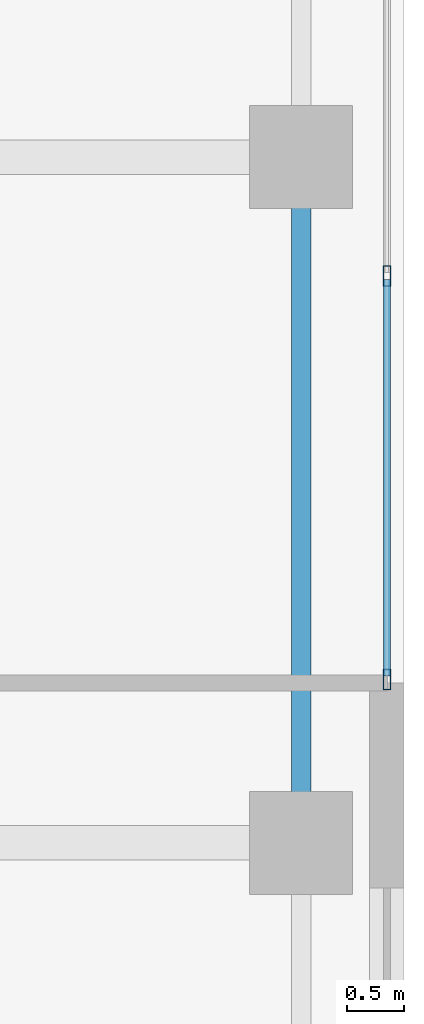
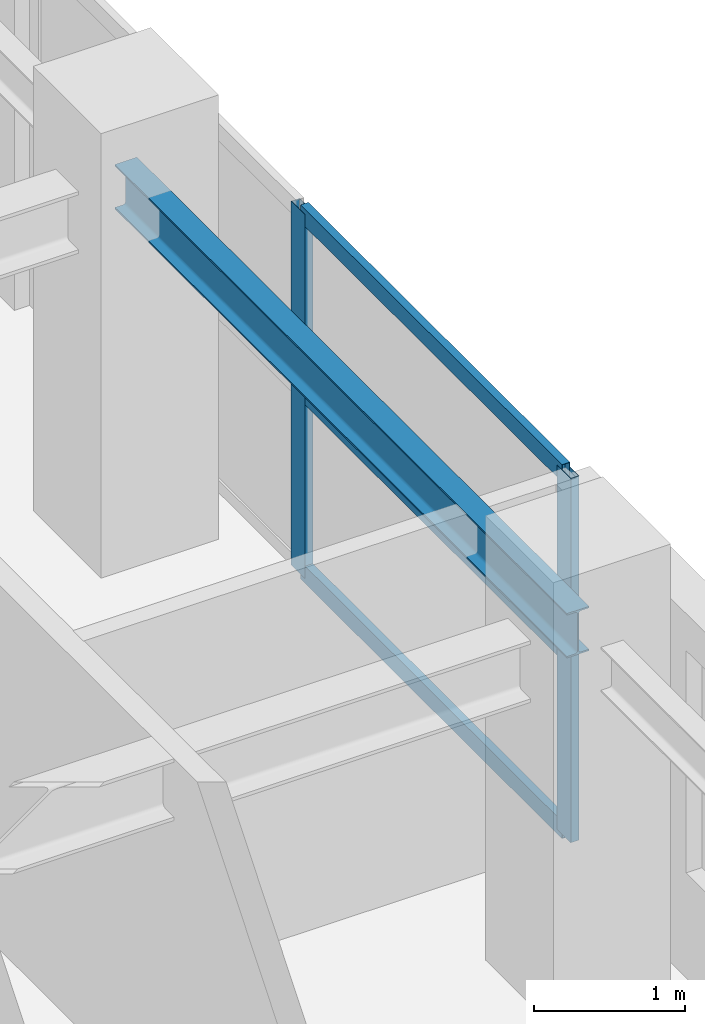
# One storey, part 11 of 21: 5 members, 1 beam, 1 element without a shape of its own.
"""IFC4 building model written with IfcOpenShell, lengths in metres."""

from ifc_helpers import new_model, si_unit, direction, frame, origin, origin_2d, place, context, subcontext, project, spatial, hollow_rectangle, i_section, extrude, source, transform, mapped, material, layer, layer_set, material_profile, profile_set, type_object, element, aggregate, save


model = new_model("IFC4")

# Units and contexts
model_context = context("Model", 3, precision=1e-05, world=origin(), true_north=direction((0.0, 1.0)))
body_context = subcontext(model_context, "Body", "Model", "MODEL_VIEW")
ifc_project = project(units=[si_unit("LENGTHUNIT", "METRE"), si_unit("AREAUNIT", "SQUARE_METRE"), si_unit("VOLUMEUNIT", "CUBIC_METRE"), si_unit("PLANEANGLEUNIT", "RADIAN"), si_unit("MASSUNIT", "GRAM", prefix="KILO")], contexts=[model_context])

# Site, building, storey
site_placement = place(None, origin())
site = spatial("IfcSite", under=ifc_project, at=site_placement, CompositionType="ELEMENT")
building_placement = place(site_placement, origin())
building = spatial("IfcBuilding", under=site, at=building_placement, Name="Khoralis Quay Care Tower", CompositionType="ELEMENT")
storey_placement = place(building_placement, frame((0.0, 0.0, 213.300048828125)))
storey = spatial("IfcBuildingStorey", under=building, at=storey_placement, Name="L56", CompositionType="ELEMENT", Elevation=213.300048828125)

# Beam
ifc_material_1 = material(Name="Steel S355", Category="steel")
ifc_material_profile_1 = material_profile(ifc_material_1, i_section(OverallWidth=0.169921875, OverallDepth=0.360107421875, WebThickness=0.008056640625, FlangeThickness=0.0126953125, FilletRadius=0.01806640625, at=origin_2d()), Name="Steel S355")
ifc_profile_set_1 = profile_set([ifc_material_profile_1], Name="Steel S355")
beam_type = type_object("IfcBeamType", Name="BM-IPE360", PredefinedType="SPANDREL", material=ifc_profile_set_1)
shared_shape_1 = source(origin(), body_context, "Body", "SweptSolid", [
    extrude(i_section(OverallWidth=0.169921875, OverallDepth=0.360107421875, WebThickness=0.008056640625, FlangeThickness=0.0126953125, FilletRadius=0.01806640625, at=origin_2d()), origin(), (0.0, 0.0, 1.0), 6.0),
])
beam_placement = place(storey_placement, frame((44.10009765625, 18.0, 2.77001953125), z_axis=(0.0, 1.0, 0.0), x_axis=(-1.0, 0.0, 0.0)))
element("IfcBeam", 1, at=beam_placement, inside=storey, type_object=beam_type, Name="BM-TSP-L56-14", PredefinedType="SPANDREL", context=body_context, shape_type="MappedRepresentation", body=[
    mapped(shared_shape_1, transform((0.0, 0.0, 0.0), scale=1.0)),
])

# Curtain wall, members
ifc_material_2 = material(Name="Pale anodised aluminium", Category="aluminium")
ifc_layer = layer(ifc_material_2, 0.159912109375)
ifc_layer_set = layer_set([ifc_layer], Name="Pale anodised aluminium")
curtain_wall_type = type_object("IfcCurtainWallType", Name="CW-SYS-Z3", PredefinedType="NOTDEFINED", material=ifc_layer_set)
curtain_wall_placement = place(storey_placement, origin())
curtain_wall = element("IfcCurtainWall", 2, at=curtain_wall_placement, inside=storey, type_object=curtain_wall_type, Name="L56 Unitised Curtain Wall CW-L56-P2-E5", PredefinedType="NOTDEFINED")
ifc_material_profile_2 = material_profile(ifc_material_2, hollow_rectangle(XDim=0.06494140625, YDim=0.179931640625, WallThickness=0.00390625, at=origin_2d()), Name="Pale anodised aluminium")
ifc_profile_set_2 = profile_set([ifc_material_profile_2], Name="Pale anodised aluminium")
member_type_1 = type_object("IfcMemberType", Name="CW-MUL-180", PredefinedType="MULLION", material=ifc_profile_set_2)
shared_shape_2 = source(origin(), body_context, "Body", "SweptSolid", [
    extrude(hollow_rectangle(XDim=0.06494140625, YDim=0.179931640625, WallThickness=0.00390625, at=origin_2d()), origin(), (0.0, 0.0, 1.0), 2.949951171875),
])
member_1_placement = place(storey_placement, frame((44.85009765625, 19.429931640625, 0.0), z_axis=(0.0, 0.0, 1.0), x_axis=(-1.0, 0.0, 0.0)))
member_1 = element("IfcMember", 3, at=member_1_placement, type_object=member_type_1, Name="CW3 mullion 1", PredefinedType="MULLION", context=body_context, shape_type="MappedRepresentation", body=[
    mapped(shared_shape_2, transform((0.0, 0.0, 0.0), scale=1.0)),
])
member_2_placement = place(storey_placement, frame((44.85009765625, 22.9599609375, 0.0), z_axis=(0.0, 0.0, 1.0), x_axis=(-1.0, 0.0, 0.0)))
member_2 = element("IfcMember", 4, at=member_2_placement, type_object=member_type_1, Name="CW3 mullion 2", PredefinedType="MULLION", context=body_context, shape_type="MappedRepresentation", body=[
    mapped(shared_shape_2, transform((0.0, 0.0, 0.0), scale=1.0)),
])
ifc_material_profile_3 = material_profile(ifc_material_2, hollow_rectangle(XDim=0.06005859375, YDim=0.139892578125, WallThickness=0.00390625, at=origin_2d()), Name="Pale anodised aluminium")
ifc_profile_set_3 = profile_set([ifc_material_profile_3], Name="Pale anodised aluminium")
member_type_2 = type_object("IfcMemberType", Name="CW-TRN-140", PredefinedType="USERDEFINED", material=ifc_profile_set_3)
shared_shape_3 = source(origin(), body_context, "Body", "SweptSolid", [
    extrude(hollow_rectangle(XDim=0.06005859375, YDim=0.139892578125, WallThickness=0.00390625, at=origin_2d()), origin(), (0.0, 0.0, 1.0), 3.469970703125),
])
member_3_placement = place(storey_placement, frame((44.85009765625, 19.4599609375, 0.030029296875), z_axis=(0.0, 1.0, 0.0), x_axis=(-1.0, 0.0, 0.0)))
member_3 = element("IfcMember", 5, at=member_3_placement, type_object=member_type_2, Name="CW3 transom 1.1", ObjectType="TRANSOM", PredefinedType="USERDEFINED", context=body_context, shape_type="MappedRepresentation", body=[
    mapped(shared_shape_3, transform((0.0, 0.0, 0.0), scale=1.0)),
])
member_4_placement = place(storey_placement, frame((44.85009765625, 19.4599609375, 1.474853515625), z_axis=(0.0, 1.0, 0.0), x_axis=(-1.0, 0.0, 0.0)))
member_4 = element("IfcMember", 6, at=member_4_placement, type_object=member_type_2, Name="CW3 transom 1.2", ObjectType="TRANSOM", PredefinedType="USERDEFINED", context=body_context, shape_type="MappedRepresentation", body=[
    mapped(shared_shape_3, transform((0.0, 0.0, 0.0), scale=1.0)),
])
member_5_placement = place(storey_placement, frame((44.85009765625, 19.4599609375, 2.919921875), z_axis=(0.0, 1.0, 0.0), x_axis=(-1.0, 0.0, 0.0)))
member_5 = element("IfcMember", 7, at=member_5_placement, type_object=member_type_2, Name="CW3 transom 1.3", ObjectType="TRANSOM", PredefinedType="USERDEFINED", context=body_context, shape_type="MappedRepresentation", body=[
    mapped(shared_shape_3, transform((0.0, 0.0, 0.0), scale=1.0)),
])
aggregate(curtain_wall, [member_1, member_2, member_3, member_4, member_5])

save(model, "model.ifc")
